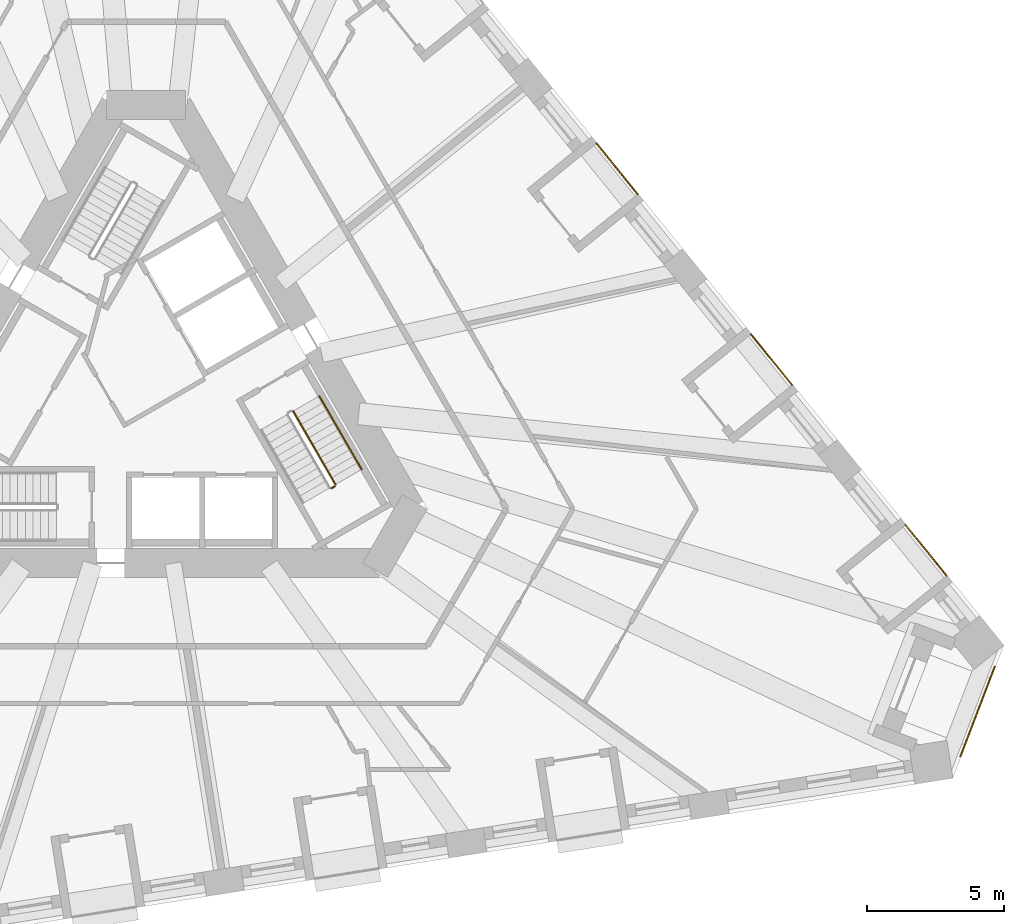
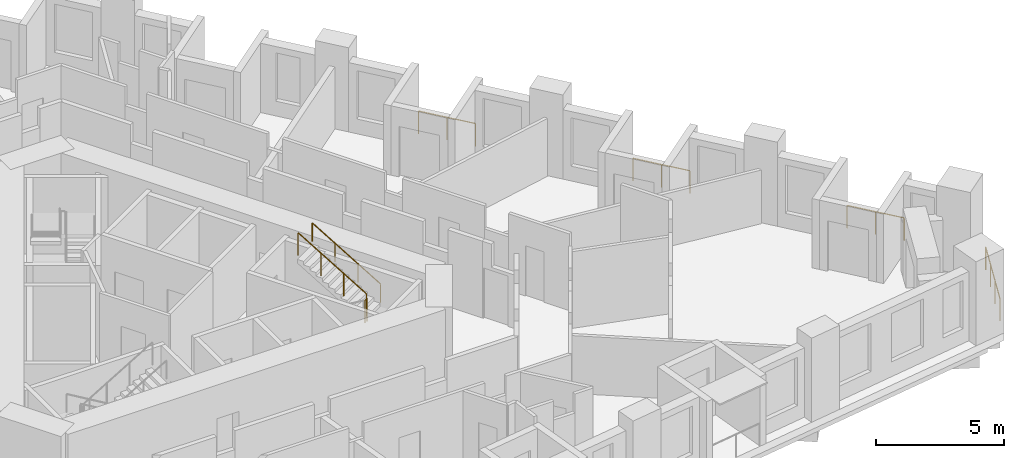
# One storey, part 13 of 14: 7 railings.
"""IFC4 building model written with IfcOpenShell, lengths in metres."""

from ifc_helpers import new_model, si_unit, direction, frame, origin, origin_2d, place, context, subcontext, project, spatial, circle, extrude, material, type_object, element, save


model = new_model("IFC4")

# Units and contexts
model_context = context("Model", 3, precision=1e-05, world=origin(), true_north=direction((0.0, 1.0)))
body_context = subcontext(model_context, "Body", "Model", "MODEL_VIEW")
ifc_project = project(units=[si_unit("LENGTHUNIT", "METRE"), si_unit("AREAUNIT", "SQUARE_METRE"), si_unit("VOLUMEUNIT", "CUBIC_METRE"), si_unit("PLANEANGLEUNIT", "RADIAN"), si_unit("MASSUNIT", "GRAM", prefix="KILO")], contexts=[model_context])

# Site, building, storey
site_placement = place(None, origin())
site = spatial("IfcSite", under=ifc_project, at=site_placement, CompositionType="ELEMENT")
building_placement = place(site_placement, origin())
building = spatial("IfcBuilding", under=site, at=building_placement, Name="Tramontana Tower", CompositionType="ELEMENT")
storey_placement = place(building_placement, frame((0.0, 0.0, 59.199951171875)))
storey = spatial("IfcBuildingStorey", under=building, at=storey_placement, Name="L12", CompositionType="ELEMENT", Elevation=59.199951171875)

# Railings
ifc_material_1 = material(Name="Laminated glass balustrade", Category="glass")
railing_type_1 = type_object("IfcRailingType", Name="GD1 Loggia glass balustrade 1100", PredefinedType="BALUSTRADE", material=ifc_material_1)
railing_1_placement = place(storey_placement, frame((29.18310546875, -6.68896484375, 0.0)))
element("IfcRailing", 1, at=railing_1_placement, inside=storey, type_object=railing_type_1, Name="Loggia balustrade L12 G1S2.1", PredefinedType="BALUSTRADE", context=body_context, shape_type="SweptSolid", body=[
    extrude(circle(Radius=0.02392578125, at=origin_2d()), frame((0.0, 0.0, 1.076171875), z_axis=(-0.629369155682, 0.777106470103, 0.0), x_axis=(-0.777106470103, -0.629369155682, 0.0)), (0.0, 0.0, 1.0), 2.383056640625),
    extrude(circle(Radius=0.02099609375, at=origin_2d()), origin(), (0.0, 0.0, 1.0), 1.052001953125),
    extrude(circle(Radius=0.02099609375, at=origin_2d()), frame((-0.75, 0.92578125, 0.0)), (0.0, 0.0, 1.0), 1.052001953125),
    extrude(circle(Radius=0.02099609375, at=origin_2d()), frame((-1.499755859375, 1.851806640625, 0.0)), (0.0, 0.0, 1.0), 1.052001953125),
])
railing_2_placement = place(storey_placement, frame((23.55126953125, 0.265625, 0.0)))
element("IfcRailing", 2, at=railing_2_placement, inside=storey, type_object=railing_type_1, Name="Loggia balustrade L12 G1S2.4", PredefinedType="BALUSTRADE", context=body_context, shape_type="SweptSolid", body=[
    extrude(circle(Radius=0.02392578125, at=origin_2d()), frame((0.0, 0.0, 1.076171875), z_axis=(-0.629257171563, 0.777197151331, 0.0), x_axis=(-0.777197151331, -0.629257171563, 0.0)), (0.0, 0.0, 1.0), 2.383056640625),
    extrude(circle(Radius=0.02099609375, at=origin_2d()), origin(), (0.0, 0.0, 1.0), 1.052001953125),
    extrude(circle(Radius=0.02099609375, at=origin_2d()), frame((-0.749755859375, 0.926025390625, 0.0)), (0.0, 0.0, 1.0), 1.052001953125),
    extrude(circle(Radius=0.02099609375, at=origin_2d()), frame((-1.49951171875, 1.85205078125, 0.0)), (0.0, 0.0, 1.0), 1.052001953125),
])
railing_3_placement = place(storey_placement, frame((17.919677734375, 7.22021484375, 0.0)))
element("IfcRailing", 3, at=railing_3_placement, inside=storey, type_object=railing_type_1, Name="Loggia balustrade L12 G1S2.7", PredefinedType="BALUSTRADE", context=body_context, shape_type="SweptSolid", body=[
    extrude(circle(Radius=0.02392578125, at=origin_2d()), frame((0.0, 0.0, 1.076171875), z_axis=(-0.629319049918, 0.777147047482, 0.0), x_axis=(-0.777147047482, -0.629319049918, 0.0)), (0.0, 0.0, 1.0), 2.383056640625),
    extrude(circle(Radius=0.02099609375, at=origin_2d()), origin(), (0.0, 0.0, 1.0), 1.052001953125),
    extrude(circle(Radius=0.02099609375, at=origin_2d()), frame((-0.75, 0.926025390625, 0.0)), (0.0, 0.0, 1.0), 1.052001953125),
    extrude(circle(Radius=0.02099609375, at=origin_2d()), frame((-1.499755859375, 1.85205078125, 0.0)), (0.0, 0.0, 1.0), 1.052001953125),
])
railing_4_placement = place(storey_placement, frame((30.9404296875, -10.00244140625, 0.0)))
element("IfcRailing", 4, at=railing_4_placement, inside=storey, type_object=railing_type_1, Name="Corner loggia balustrade L12 K12", PredefinedType="BALUSTRADE", context=body_context, shape_type="SweptSolid", body=[
    extrude(circle(Radius=0.02392578125, at=origin_2d()), frame((0.0, 0.0, 1.076171875), z_axis=(-0.358329267986, -0.933595274037, 0.0), x_axis=(0.933595274037, -0.358329267986, 0.0)), (0.0, 0.0, 1.0), 3.5),
    extrude(circle(Radius=0.02099609375, at=origin_2d()), origin(), (0.0, 0.0, 1.0), 1.052001953125),
    extrude(circle(Radius=0.02099609375, at=origin_2d()), frame((-0.41796875, -1.089111328125, 0.0)), (0.0, 0.0, 1.0), 1.052001953125),
    extrude(circle(Radius=0.02099609375, at=origin_2d()), frame((-0.836181640625, -2.178466796875, 0.0)), (0.0, 0.0, 1.0), 1.052001953125),
    extrude(circle(Radius=0.02099609375, at=origin_2d()), frame((-1.254150390625, -3.267578125, 0.0)), (0.0, 0.0, 1.0), 1.052001953125),
])
ifc_material_2 = material(Name="Painted steel", Category="steel")
railing_type_2 = type_object("IfcRailingType", Name="STAIR GUARD 1100", PredefinedType="GUARDRAIL", material=ifc_material_2)
railing_5_placement = place(storey_placement, frame((6.90380859375, -3.35791015625, 2.166748046875)))
element("IfcRailing", 5, at=railing_5_placement, inside=storey, type_object=railing_type_2, Name="L12 ST3 stair guard 2", PredefinedType="GUARDRAIL", context=body_context, shape_type="SweptSolid", body=[
    extrude(circle(Radius=0.02392578125, at=origin_2d()), frame((0.0, 0.0, 1.076171875), z_axis=(-0.429615651263, 0.74418122563, 0.511492615401), x_axis=(-0.866044340336, -0.499967199496, 0.0)), (0.0, 0.0, 1.0), 3.584228515625),
    extrude(circle(Radius=0.02099609375, at=origin_2d()), origin(), (0.0, 0.0, 1.0), 1.052001953125),
    extrude(circle(Radius=0.02099609375, at=origin_2d()), frame((-0.51318359375, 0.88916015625, 0.611083984375)), (0.0, 0.0, 1.0), 1.052001953125),
    extrude(circle(Radius=0.02099609375, at=origin_2d()), frame((-1.026611328125, 1.778076171875, 1.22216796875)), (0.0, 0.0, 1.0), 1.052001953125),
    extrude(circle(Radius=0.02099609375, at=origin_2d()), frame((-1.539794921875, 2.667236328125, 1.833251953125)), (0.0, 0.0, 1.0), 1.052001953125),
])
railing_6_placement = place(storey_placement, frame((6.755615234375, -3.501220703125, 2.0)))
element("IfcRailing", 6, at=railing_6_placement, inside=storey, type_object=railing_type_2, Name="L12 ST3 stair guard 3", PredefinedType="GUARDRAIL", context=body_context, shape_type="SweptSolid", body=[
    extrude(circle(Radius=0.02392578125, at=origin_2d()), frame((0.0, 0.0, 1.076171875), z_axis=(0.866131372301, 0.499816412211, 0.0), x_axis=(-0.499816412211, 0.866131372301, 0.0)), (0.0, 0.0, 1.0), 0.14990234375),
    extrude(circle(Radius=0.02099609375, at=origin_2d()), origin(), (0.0, 0.0, 1.0), 1.052001953125),
    extrude(circle(Radius=0.02099609375, at=origin_2d()), frame((0.1298828125, 0.074951171875, 0.0)), (0.0, 0.0, 1.0), 1.052001953125),
])
ifc_material_3 = material(Name="Painted steel", Category="steel")
railing_type_3 = type_object("IfcRailingType", Name="STAIR HANDRAIL 900", PredefinedType="HANDRAIL", material=ifc_material_3)
railing_7_placement = place(storey_placement, frame((7.8564453125, -2.807861328125, 2.166748046875)))
element("IfcRailing", 7, at=railing_7_placement, inside=storey, type_object=railing_type_3, Name="L12 ST3 stair handrail 2", PredefinedType="HANDRAIL", context=body_context, shape_type="SweptSolid", body=[
    extrude(circle(Radius=0.02392578125, at=origin_2d()), frame((0.0, 0.0, 0.8759765625), z_axis=(-0.429615651263, 0.74418122563, 0.511492615401), x_axis=(-0.866044340336, -0.499967199496, 0.0)), (0.0, 0.0, 1.0), 3.584228515625),
    extrude(circle(Radius=0.02099609375, at=origin_2d()), origin(), (0.0, 0.0, 1.0), 0.851806640625),
    extrude(circle(Radius=0.02099609375, at=origin_2d()), frame((-0.51318359375, 0.88916015625, 0.611083984375)), (0.0, 0.0, 1.0), 0.851806640625),
    extrude(circle(Radius=0.02099609375, at=origin_2d()), frame((-1.026611328125, 1.778076171875, 1.22216796875)), (0.0, 0.0, 1.0), 0.851806640625),
    extrude(circle(Radius=0.02099609375, at=origin_2d()), frame((-1.539794921875, 2.667236328125, 1.833251953125)), (0.0, 0.0, 1.0), 0.851806640625),
])

save(model, "model.ifc")
